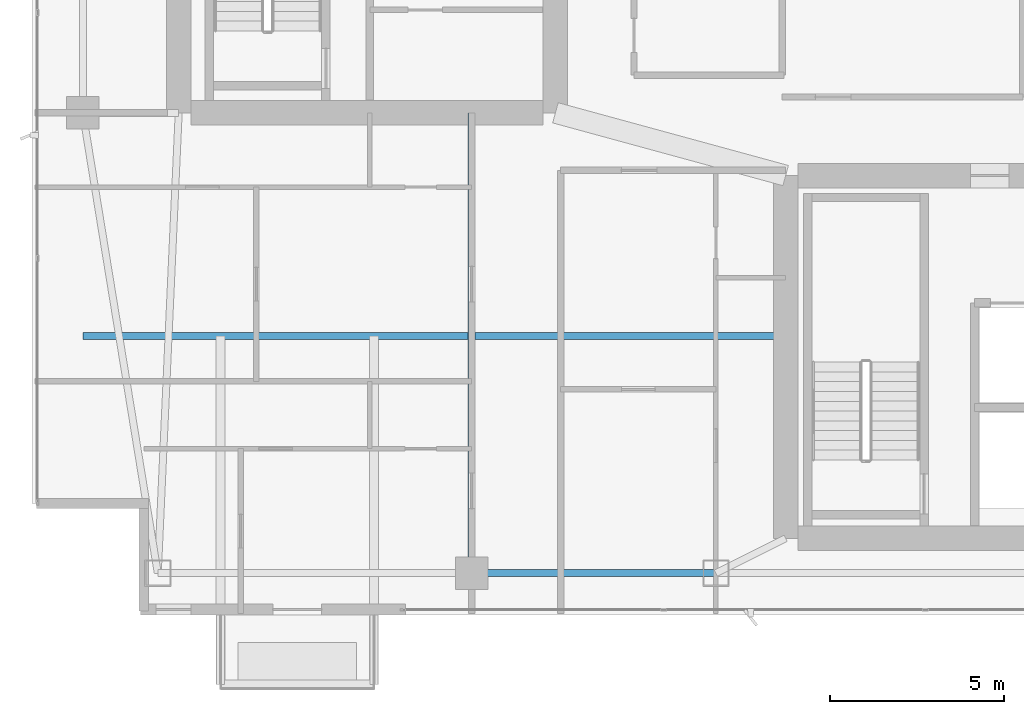
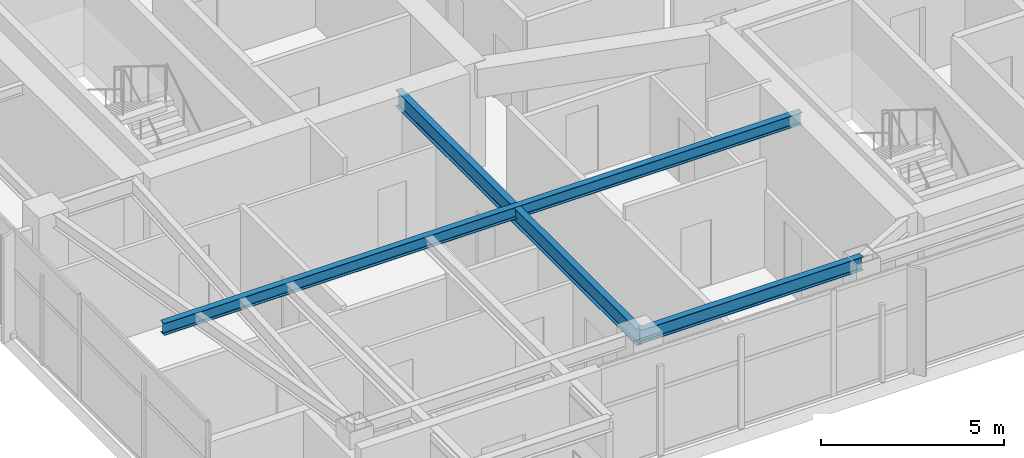
# One storey, part 6 of 28: 3 beams.
"""IFC4 building model written with IfcOpenShell, lengths in metres."""

from ifc_helpers import new_model, si_unit, direction, frame, origin, origin_2d, place, context, subcontext, project, spatial, i_section, extrude, material, material_profile, profile_set, type_object, element, save


model = new_model("IFC4")

# Units and contexts
model_context = context("Model", 3, precision=1e-05, world=origin(), true_north=direction((0.0, 1.0)))
body_context = subcontext(model_context, "Body", "Model", "MODEL_VIEW")
ifc_project = project(units=[si_unit("LENGTHUNIT", "METRE"), si_unit("AREAUNIT", "SQUARE_METRE"), si_unit("VOLUMEUNIT", "CUBIC_METRE"), si_unit("PLANEANGLEUNIT", "RADIAN"), si_unit("MASSUNIT", "GRAM", prefix="KILO")], contexts=[model_context])

# Site, building, storey
site_placement = place(None, origin())
site = spatial("IfcSite", under=ifc_project, at=site_placement, CompositionType="ELEMENT")
building_placement = place(site_placement, origin())
building = spatial("IfcBuilding", under=site, at=building_placement, Name="Calvorn Quay Hotel", CompositionType="ELEMENT")
storey_placement = place(building_placement, frame((0.0, 0.0, 263.5)))
storey = spatial("IfcBuildingStorey", under=building, at=storey_placement, Name="L65", CompositionType="ELEMENT", Elevation=263.5)

# Beams
ifc_material_1 = material(Name="Steel Q355B", Category="steel")
ifc_material_profile_1 = material_profile(ifc_material_1, i_section(OverallWidth=0.199951171875, OverallDepth=0.550048828125, WebThickness=0.010009765625, FlangeThickness=0.01611328125, FilletRadius=0.01806640625, at=origin_2d()), Name="HN550x200x10x16")
ifc_profile_set_1 = profile_set([ifc_material_profile_1], Name="Steel Q355B")
beam_type_1 = type_object("IfcBeamType", Name="BM-GIRD-UPP", PredefinedType="BEAM", material=ifc_profile_set_1)
beam_1_placement = place(storey_placement, frame((12.60009765625, 3.60009765625, 3.264892578125), z_axis=(0.0, 1.0, 0.0), x_axis=(-1.0, 0.0, 0.0)))
element("IfcBeam", 1, at=beam_1_placement, inside=storey, type_object=beam_type_1, Name="Beam BG-L65-S1", PredefinedType="BEAM", context=body_context, shape_type="SweptSolid", body=[
    extrude(i_section(OverallWidth=0.199951171875, OverallDepth=0.550048828125, WebThickness=0.010009765625, FlangeThickness=0.01611328125, FilletRadius=0.01806640625, at=origin_2d()), origin(), (0.0, 0.0, 1.0), 13.199951171875),
])
ifc_material_2 = material(Name="Steel Q355B", Category="steel")
ifc_material_profile_2 = material_profile(ifc_material_2, i_section(OverallWidth=0.199951171875, OverallDepth=0.39990234375, WebThickness=0.008056640625, FlangeThickness=0.012939453125, FilletRadius=0.01611328125, at=origin_2d()), Name="HN400x200x8x13")
ifc_profile_set_2 = profile_set([ifc_material_profile_2], Name="Steel Q355B")
beam_type_2 = type_object("IfcBeamType", Name="BM-JOIST-TYP", PredefinedType="JOIST", material=ifc_profile_set_2)
beam_2_placement = place(storey_placement, frame((1.449951171875, 10.39990234375, 3.340087890625), z_axis=(1.0, 0.0, 0.0), x_axis=(0.0, 1.0, 0.0)))
element("IfcBeam", 2, at=beam_2_placement, inside=storey, type_object=beam_type_2, Name="Beam BJ-L65-W1", PredefinedType="JOIST", context=body_context, shape_type="SweptSolid", body=[
    extrude(i_section(OverallWidth=0.199951171875, OverallDepth=0.39990234375, WebThickness=0.008056640625, FlangeThickness=0.012939453125, FilletRadius=0.01611328125, at=origin_2d()), origin(), (0.0, 0.0, 1.0), 20.150146484375),
])
ifc_material_3 = material(Name="Steel Q355B", Category="steel")
ifc_material_profile_3 = material_profile(ifc_material_3, i_section(OverallWidth=0.199951171875, OverallDepth=0.449951171875, WebThickness=0.009033203125, FlangeThickness=0.013916015625, FilletRadius=0.01611328125, at=origin_2d()), Name="HN450x200x9x14")
ifc_profile_set_3 = profile_set([ifc_material_profile_3], Name="Steel Q355B")
beam_type_3 = type_object("IfcBeamType", Name="BM-SPANDREL-Z3", PredefinedType="SPANDREL", material=ifc_profile_set_3)
beam_3_placement = place(storey_placement, frame((12.60009765625, 3.60009765625, 3.31494140625), z_axis=(1.0, 0.0, 0.0), x_axis=(0.0, 1.0, 0.0)))
element("IfcBeam", 3, at=beam_3_placement, inside=storey, type_object=beam_type_3, Name="Beam BSP-L65-S2", PredefinedType="SPANDREL", context=body_context, shape_type="SweptSolid", body=[
    extrude(i_section(OverallWidth=0.199951171875, OverallDepth=0.449951171875, WebThickness=0.009033203125, FlangeThickness=0.013916015625, FilletRadius=0.01611328125, at=origin_2d()), origin(), (0.0, 0.0, 1.0), 7.0),
])

save(model, "model.ifc")
